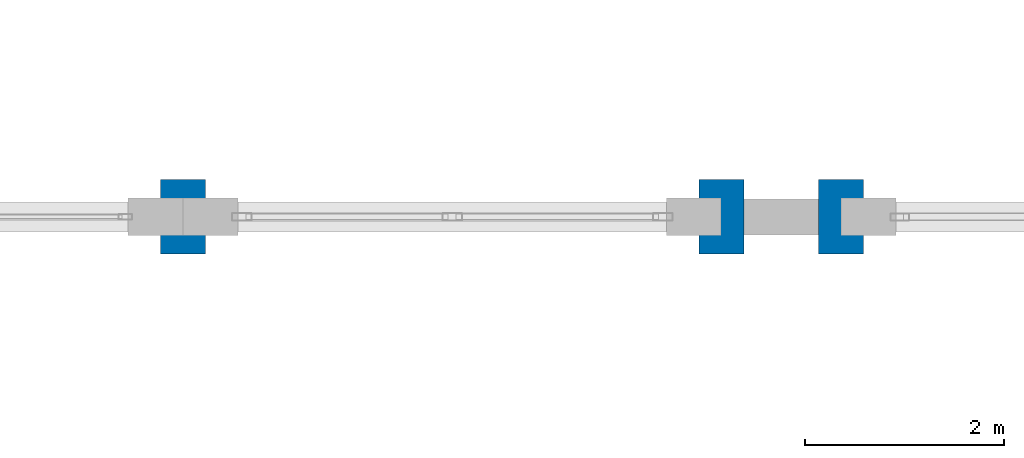
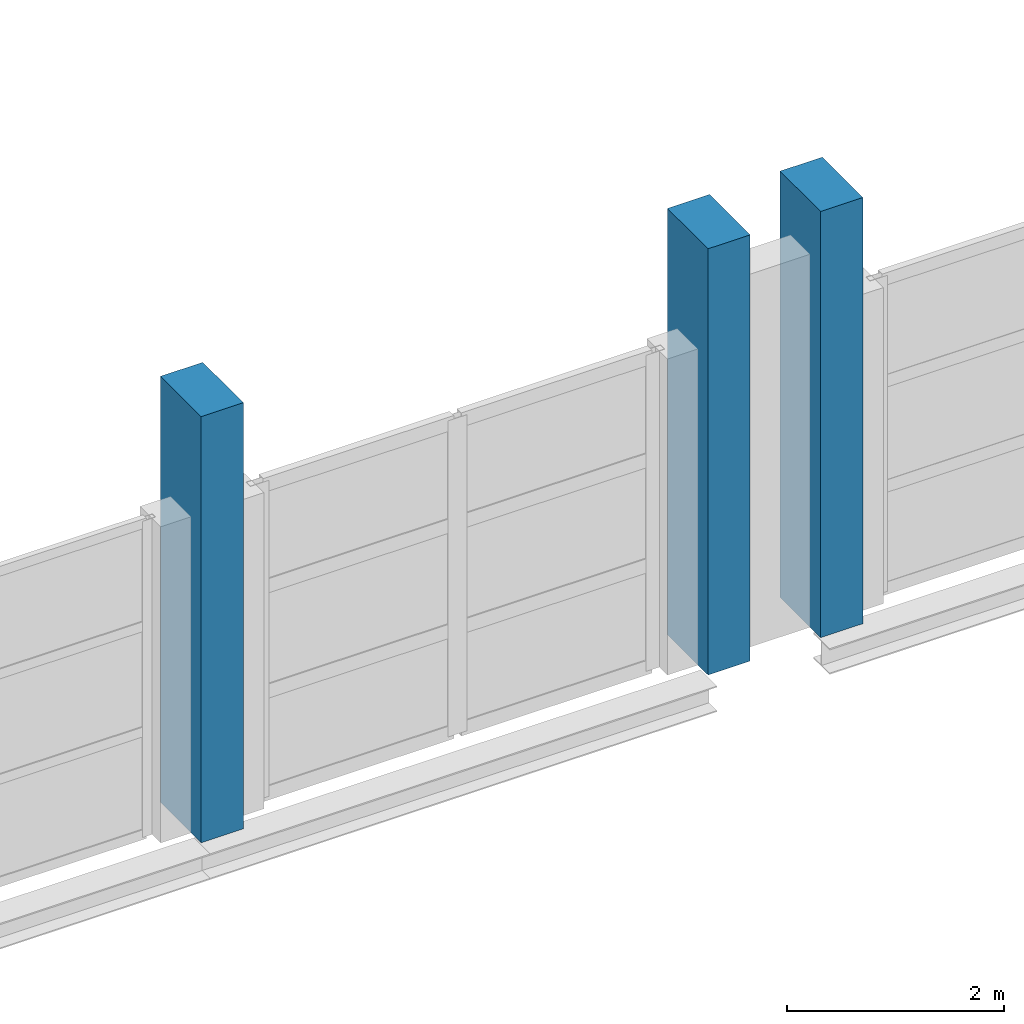
# One storey, part 7 of 147: 3 columns.
"""IFC4 building model written with IfcOpenShell, lengths in metres."""

from ifc_helpers import new_model, si_unit, direction, frame, origin, origin_2d, place, context, subcontext, project, spatial, rectangle, extrude, material, material_profile, profile_set, type_object, element, save


model = new_model("IFC4")

# Units and contexts
model_context = context("Model", 3, precision=1e-05, world=origin(), true_north=direction((0.0, 1.0)))
body_context = subcontext(model_context, "Body", "Model", "MODEL_VIEW")
ifc_project = project(units=[si_unit("LENGTHUNIT", "METRE"), si_unit("AREAUNIT", "SQUARE_METRE"), si_unit("VOLUMEUNIT", "CUBIC_METRE"), si_unit("PLANEANGLEUNIT", "RADIAN"), si_unit("MASSUNIT", "GRAM", prefix="KILO")], contexts=[model_context])

# Site, building, storey
site_placement = place(None, origin())
site = spatial("IfcSite", under=ifc_project, at=site_placement, CompositionType="ELEMENT")
building_placement = place(site_placement, origin())
building = spatial("IfcBuilding", under=site, at=building_placement, Name="Zilviju Railside Exhibition Hall", CompositionType="ELEMENT")
storey_placement = place(building_placement, frame((0.0, 0.0, 8.39990234375)))
storey = spatial("IfcBuildingStorey", under=building, at=storey_placement, Name="L03", CompositionType="ELEMENT", Elevation=8.39990234375)

# Columns
ifc_material = material(Name="Concrete C40/50", Category="concrete")
ifc_material_profile = material_profile(ifc_material, rectangle(XDim=0.449951171875, YDim=0.75, at=origin_2d()), Name="RC COL 450x750")
ifc_profile_set = profile_set([ifc_material_profile], Name="Concrete C40/50")
column_type = type_object("IfcColumnType", Name="PIL-RC-750x450", PredefinedType="PILASTER", material=ifc_profile_set)
for number, where, z_axis, x_axis, name in (
    (1, (120.0, 54.0, 0.0), (0.0, 0.0, 1.0), (1.0, 0.0, 0.0), "Structural Column L03 (120.0, 54.0)"),
    (2, (125.39990234375, 54.0, 0.0), (0.0, 0.0, 1.0), (1.0, 0.0, 0.0), "Structural Column L03 (125.4, 54.0)"),
    (3, (126.60009765625, 54.0, 0.0), (0.0, 0.0, 1.0), (1.0, 0.0, 0.0), "Structural Column L03 (126.6, 54.0)"),
):
    element("IfcColumn", number, at=place(storey_placement, frame(where, z_axis=z_axis, x_axis=x_axis)), inside=storey, type_object=column_type, Name=name, PredefinedType="PILASTER", context=body_context, shape_type="SweptSolid", body=[
        extrude(rectangle(XDim=0.449951171875, YDim=0.75, at=origin_2d()), origin(), (0.0, 0.0, 1.0), 4.800048828125),
    ])

save(model, "model.ifc")
